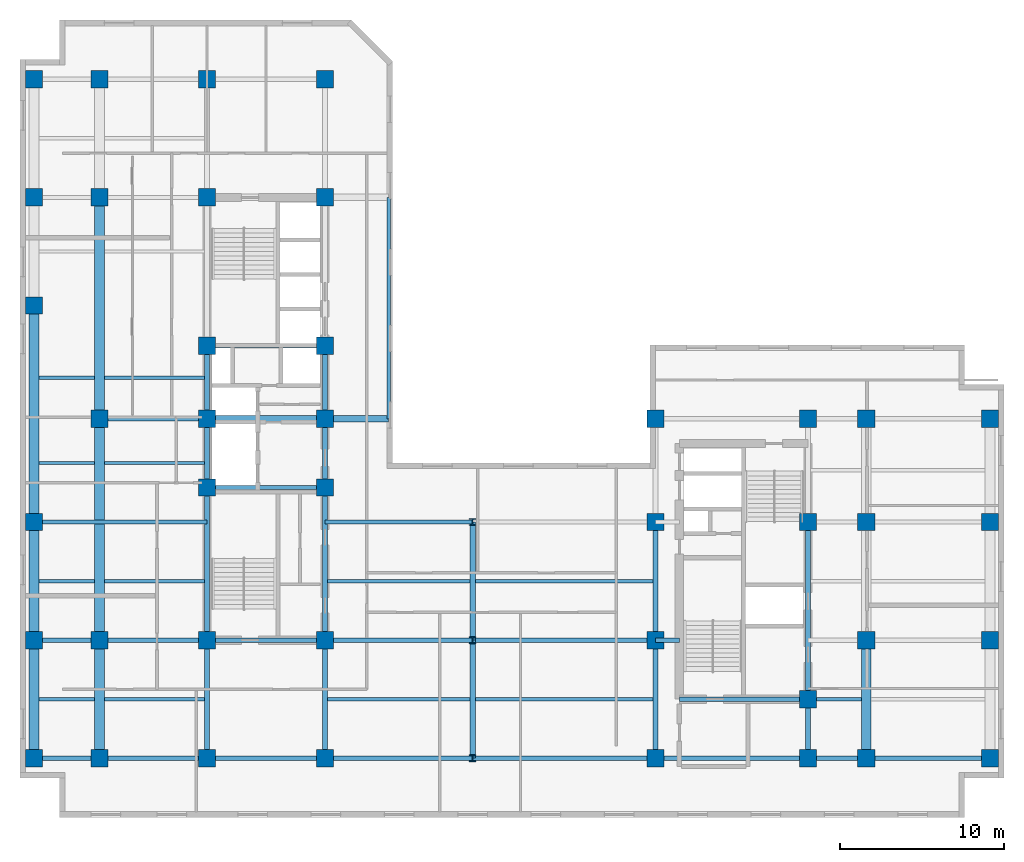
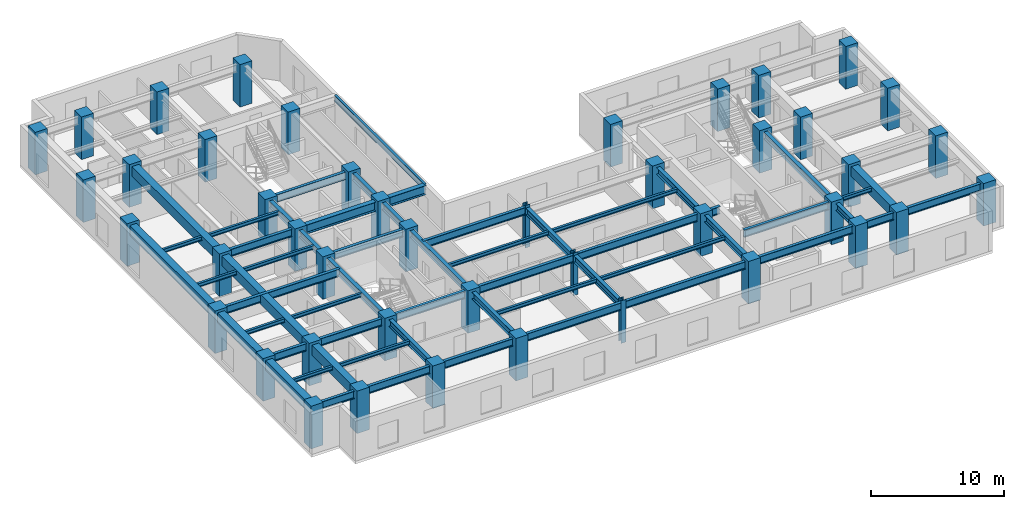
# One storey, part 1 of 10: 56 beams, 44 columns.
"""IFC4 building model written with IfcOpenShell, lengths in metres."""

from ifc_helpers import new_model, entity, si_unit, converted_unit, direction, frame, origin_with_axes, origin_2d_with_axis, place, context, subcontext, project, spatial, rectangle, i_section, extrude, material, material_profile, profile_set, type_object, element, save


model = new_model("IFC4")

# Units and contexts
model_context = context("Model", 3, precision=1e-05, world=origin_with_axes(), true_north=direction((0.0, 1.0)))
body_context = subcontext(model_context, "Body", "Model", "MODEL_VIEW")
ifc_project = project(units=[si_unit("LENGTHUNIT", "METRE"), si_unit("AREAUNIT", "SQUARE_METRE"), si_unit("VOLUMEUNIT", "CUBIC_METRE"), converted_unit("PLANEANGLEUNIT", "DEGREE", entity("IfcPlaneAngleMeasure", 0.017453292519943295), si_unit("PLANEANGLEUNIT", "RADIAN"), dimensions=[0, 0, 0, 0, 0, 0, 0]), si_unit("MASSUNIT", "GRAM", prefix="KILO"), si_unit("THERMODYNAMICTEMPERATUREUNIT", "KELVIN")], contexts=[model_context])

# Site, building, storey
site_placement = place(None, origin_with_axes())
site = spatial("IfcSite", under=ifc_project, at=site_placement, CompositionType="ELEMENT")
building_placement = place(site_placement, origin_with_axes())
building = spatial("IfcBuilding", under=site, at=building_placement, Name="Varnlund Millrace Tower", CompositionType="ELEMENT")
storey_placement = place(building_placement, frame((0.0, 0.0, 152.4), z_axis=(0.0, 0.0, 1.0), x_axis=(1.0, 0.0, 0.0)))
storey = spatial("IfcBuildingStorey", under=building, at=storey_placement, Name="L37", CompositionType="ELEMENT", Elevation=152.4)

# Columns
ifc_material_1 = material(Name="Steel ASTM A913 Grade 65", Category="steel")
ifc_material_profile_1 = material_profile(ifc_material_1, i_section(OverallWidth=0.406, OverallDepth=0.416, WebThickness=0.0298, FlangeThickness=0.048, FilletRadius=0.022, at=origin_2d_with_axis()), Name="Steel ASTM A913 Grade 65")
ifc_profile_set_1 = profile_set([ifc_material_profile_1], Name="Steel ASTM A913 Grade 65")
column_type_1 = type_object("IfcColumnType", Name="Type-Col-Int-W14X257", PredefinedType="COLUMN", material=ifc_profile_set_1)
for number, where, z_axis, x_axis, name in (
    (1, (27.6, 3.6, 0.0), (0.0, 0.0, 1.0), (1.0, 0.0, 0.0), "Type-Col-Int-W14X257"),
    (2, (27.6, 10.8, 0.0), (0.0, 0.0, 1.0), (1.0, 0.0, 0.0), "Type-Col-Int-W14X257"),
    (3, (27.6, 18.0, 0.0), (0.0, 0.0, 1.0), (1.0, 0.0, 0.0), "Type-Col-Int-W14X257"),
):
    element("IfcColumn", number, at=place(storey_placement, frame(where, z_axis=z_axis, x_axis=x_axis)), inside=storey, type_object=column_type_1, Name=name, PredefinedType="COLUMN", context=body_context, shape_type="SweptSolid", body=[
        extrude(i_section(OverallWidth=0.406, OverallDepth=0.416, WebThickness=0.0298, FlangeThickness=0.048, FilletRadius=0.022, at=origin_2d_with_axis()), origin_with_axes(), (0.0, 0.0, 1.0), 3.9),
    ])
ifc_material_2 = material(Name="Concrete C70/85", Category="concrete")
ifc_material_profile_2 = material_profile(ifc_material_2, rectangle(XDim=1.05, YDim=1.05, at=origin_2d_with_axis()), Name="Concrete C70/85")
ifc_profile_set_2 = profile_set([ifc_material_profile_2], Name="Concrete C70/85")
column_type_2 = type_object("IfcColumnType", Name="Type-Col-RC1050-C70", PredefinedType="COLUMN", material=ifc_profile_set_2)
for number, where, z_axis, x_axis, name in (
    (4, (11.4, 3.6, 0.0), (0.0, 0.0, 1.0), (1.0, 0.0, 0.0), "Type-Col-RC1050-C70"),
    (5, (11.4, 10.8, 0.0), (0.0, 0.0, 1.0), (1.0, 0.0, 0.0), "Type-Col-RC1050-C70"),
    (6, (11.4, 20.1, 0.0), (0.0, 0.0, 1.0), (1.0, 0.0, 0.0), "Type-Col-RC1050-C70"),
    (7, (11.4, 24.3, 0.0), (0.0, 0.0, 1.0), (1.0, 0.0, 0.0), "Type-Col-RC1050-C70"),
    (8, (11.4, 28.75, 0.0), (0.0, 0.0, 1.0), (1.0, 0.0, 0.0), "Type-Col-RC1050-C70"),
    (9, (11.4, 37.8, 0.0), (0.0, 0.0, 1.0), (1.0, 0.0, 0.0), "Type-Col-RC1050-C70"),
    (10, (11.4, 45.0, 0.0), (0.0, 0.0, 1.0), (1.0, 0.0, 0.0), "Type-Col-RC1050-C70"),
    (11, (18.6, 3.6, 0.0), (0.0, 0.0, 1.0), (1.0, 0.0, 0.0), "Type-Col-RC1050-C70"),
    (12, (18.6, 10.8, 0.0), (0.0, 0.0, 1.0), (1.0, 0.0, 0.0), "Type-Col-RC1050-C70"),
    (13, (18.6, 20.1, 0.0), (0.0, 0.0, 1.0), (1.0, 0.0, 0.0), "Type-Col-RC1050-C70"),
    (14, (18.6, 24.3, 0.0), (0.0, 0.0, 1.0), (1.0, 0.0, 0.0), "Type-Col-RC1050-C70"),
    (15, (18.6, 28.75, 0.0), (0.0, 0.0, 1.0), (1.0, 0.0, 0.0), "Type-Col-RC1050-C70"),
    (16, (18.6, 37.8, 0.0), (0.0, 0.0, 1.0), (1.0, 0.0, 0.0), "Type-Col-RC1050-C70"),
    (17, (18.6, 45.0, 0.0), (0.0, 0.0, 1.0), (1.0, 0.0, 0.0), "Type-Col-RC1050-C70"),
    (18, (4.85, 3.6, 0.0), (0.0, 0.0, 1.0), (1.0, 0.0, 0.0), "Type-Col-RC1050-C70"),
    (19, (4.85, 10.8, 0.0), (0.0, 0.0, 1.0), (1.0, 0.0, 0.0), "Type-Col-RC1050-C70"),
    (20, (4.85, 24.3, 0.0), (0.0, 0.0, 1.0), (1.0, 0.0, 0.0), "Type-Col-RC1050-C70"),
    (21, (4.85, 37.8, 0.0), (0.0, 0.0, 1.0), (1.0, 0.0, 0.0), "Type-Col-RC1050-C70"),
    (22, (4.85, 45.0, 0.0), (0.0, 0.0, 1.0), (1.0, 0.0, 0.0), "Type-Col-RC1050-C70"),
    (23, (0.85, 3.6, 0.0), (0.0, 0.0, 1.0), (1.0, 0.0, 0.0), "Type-Col-RC1050-C70"),
    (24, (0.85, 10.8, 0.0), (0.0, 0.0, 1.0), (1.0, 0.0, 0.0), "Type-Col-RC1050-C70"),
    (25, (0.85, 18.0, 0.0), (0.0, 0.0, 1.0), (1.0, 0.0, 0.0), "Type-Col-RC1050-C70"),
    (26, (0.85, 31.2, 0.0), (0.0, 0.0, 1.0), (1.0, 0.0, 0.0), "Type-Col-RC1050-C70"),
    (27, (0.85, 37.8, 0.0), (0.0, 0.0, 1.0), (1.0, 0.0, 0.0), "Type-Col-RC1050-C70"),
    (28, (0.85, 45.0, 0.0), (0.0, 0.0, 1.0), (1.0, 0.0, 0.0), "Type-Col-RC1050-C70"),
    (29, (38.75, 3.6, 0.0), (0.0, 0.0, 1.0), (1.0, 0.0, 0.0), "Type-Col-RC1050-C70"),
    (30, (38.75, 10.8, 0.0), (0.0, 0.0, 1.0), (1.0, 0.0, 0.0), "Type-Col-RC1050-C70"),
    (31, (38.75, 18.0, 0.0), (0.0, 0.0, 1.0), (1.0, 0.0, 0.0), "Type-Col-RC1050-C70"),
    (32, (38.75, 24.3, 0.0), (0.0, 0.0, 1.0), (1.0, 0.0, 0.0), "Type-Col-RC1050-C70"),
    (33, (48.05, 3.6, 0.0), (0.0, 0.0, 1.0), (1.0, 0.0, 0.0), "Type-Col-RC1050-C70"),
    (34, (48.05, 7.2, 0.0), (0.0, 0.0, 1.0), (1.0, 0.0, 0.0), "Type-Col-RC1050-C70"),
    (35, (48.05, 18.0, 0.0), (0.0, 0.0, 1.0), (1.0, 0.0, 0.0), "Type-Col-RC1050-C70"),
    (36, (48.05, 24.3, 0.0), (0.0, 0.0, 1.0), (1.0, 0.0, 0.0), "Type-Col-RC1050-C70"),
    (37, (51.6, 3.6, 0.0), (0.0, 0.0, 1.0), (1.0, 0.0, 0.0), "Type-Col-RC1050-C70"),
    (38, (51.6, 10.8, 0.0), (0.0, 0.0, 1.0), (1.0, 0.0, 0.0), "Type-Col-RC1050-C70"),
    (39, (51.6, 18.0, 0.0), (0.0, 0.0, 1.0), (1.0, 0.0, 0.0), "Type-Col-RC1050-C70"),
    (40, (51.6, 24.3, 0.0), (0.0, 0.0, 1.0), (1.0, 0.0, 0.0), "Type-Col-RC1050-C70"),
    (41, (59.15, 3.6, 0.0), (0.0, 0.0, 1.0), (1.0, 0.0, 0.0), "Type-Col-RC1050-C70"),
    (42, (59.15, 10.8, 0.0), (0.0, 0.0, 1.0), (1.0, 0.0, 0.0), "Type-Col-RC1050-C70"),
    (43, (59.15, 18.0, 0.0), (0.0, 0.0, 1.0), (1.0, 0.0, 0.0), "Type-Col-RC1050-C70"),
    (44, (59.15, 24.3, 0.0), (0.0, 0.0, 1.0), (1.0, 0.0, 0.0), "Type-Col-RC1050-C70"),
):
    element("IfcColumn", number, at=place(storey_placement, frame(where, z_axis=z_axis, x_axis=x_axis)), inside=storey, type_object=column_type_2, Name=name, PredefinedType="COLUMN", context=body_context, shape_type="SweptSolid", body=[
        extrude(rectangle(XDim=1.05, YDim=1.05, at=origin_2d_with_axis()), origin_with_axes(), (0.0, 0.0, 1.0), 3.9),
    ])

# Beams
ifc_material_3 = material(Name="Steel ASTM A992 Grade 50", Category="steel")
ifc_material_profile_3 = material_profile(ifc_material_3, i_section(OverallWidth=0.209, OverallDepth=0.533, WebThickness=0.0102, FlangeThickness=0.0156, FilletRadius=0.014, at=origin_2d_with_axis()), Name="Steel ASTM A992 Grade 50")
ifc_profile_set_3 = profile_set([ifc_material_profile_3], Name="Steel ASTM A992 Grade 50")
beam_type_1 = type_object("IfcBeamType", Name="Type-Beam-W21X62", PredefinedType="BEAM", material=ifc_profile_set_3)
beam_1_placement = place(storey_placement, frame((22.477, 24.3, 3.3935), z_axis=(0.0, 1.0, 0.0), x_axis=(-1.0, 0.0, 0.0)))
element("IfcBeam", 45, at=beam_1_placement, inside=storey, type_object=beam_type_1, Name="Type-Beam-W21X62", PredefinedType="BEAM", context=body_context, shape_type="SweptSolid", body=[
    extrude(i_section(OverallWidth=0.209, OverallDepth=0.533, WebThickness=0.0102, FlangeThickness=0.0156, FilletRadius=0.014, at=origin_2d_with_axis()), origin_with_axes(), (0.0, 0.0, 1.0), 13.5),
])
ifc_material_profile_4 = material_profile(ifc_material_3, i_section(OverallWidth=0.328, OverallDepth=0.628, WebThickness=0.0165, FlangeThickness=0.0277, FilletRadius=0.018, at=origin_2d_with_axis()), Name="Steel ASTM A992 Grade 50")
ifc_profile_set_4 = profile_set([ifc_material_profile_4], Name="Steel ASTM A992 Grade 50")
beam_type_2 = type_object("IfcBeamType", Name="Type-Girder-W24X146", PredefinedType="USERDEFINED", material=ifc_profile_set_4)
beam_2_placement = place(storey_placement, frame((11.4, 3.6, 3.346), z_axis=(0.0, 1.0, 0.0), x_axis=(-1.0, 0.0, 0.0)))
element("IfcBeam", 46, at=beam_2_placement, inside=storey, type_object=beam_type_2, Name="Type-Girder-W24X146", ObjectType="GIRDER", PredefinedType="USERDEFINED", context=body_context, shape_type="SweptSolid", body=[
    extrude(i_section(OverallWidth=0.328, OverallDepth=0.628, WebThickness=0.0165, FlangeThickness=0.0277, FilletRadius=0.018, at=origin_2d_with_axis()), origin_with_axes(), (0.0, 0.0, 1.0), 7.2),
])
beam_3_placement = place(storey_placement, frame((11.4, 10.8, 3.346), z_axis=(0.0, 1.0, 0.0), x_axis=(-1.0, 0.0, 0.0)))
element("IfcBeam", 47, at=beam_3_placement, inside=storey, type_object=beam_type_2, Name="Type-Girder-W24X146", ObjectType="GIRDER", PredefinedType="USERDEFINED", context=body_context, shape_type="SweptSolid", body=[
    extrude(i_section(OverallWidth=0.328, OverallDepth=0.628, WebThickness=0.0165, FlangeThickness=0.0277, FilletRadius=0.018, at=origin_2d_with_axis()), origin_with_axes(), (0.0, 0.0, 1.0), 9.3),
])
beam_4_placement = place(storey_placement, frame((11.4, 20.1, 3.346), z_axis=(0.0, 1.0, 0.0), x_axis=(-1.0, 0.0, 0.0)))
element("IfcBeam", 48, at=beam_4_placement, inside=storey, type_object=beam_type_2, Name="Type-Girder-W24X146", ObjectType="GIRDER", PredefinedType="USERDEFINED", context=body_context, shape_type="SweptSolid", body=[
    extrude(i_section(OverallWidth=0.328, OverallDepth=0.628, WebThickness=0.0165, FlangeThickness=0.0277, FilletRadius=0.018, at=origin_2d_with_axis()), origin_with_axes(), (0.0, 0.0, 1.0), 4.2),
])
beam_5_placement = place(storey_placement, frame((11.4, 24.3, 3.346), z_axis=(0.0, 1.0, 0.0), x_axis=(-1.0, 0.0, 0.0)))
element("IfcBeam", 49, at=beam_5_placement, inside=storey, type_object=beam_type_2, Name="Type-Girder-W24X146", ObjectType="GIRDER", PredefinedType="USERDEFINED", context=body_context, shape_type="SweptSolid", body=[
    extrude(i_section(OverallWidth=0.328, OverallDepth=0.628, WebThickness=0.0165, FlangeThickness=0.0277, FilletRadius=0.018, at=origin_2d_with_axis()), origin_with_axes(), (0.0, 0.0, 1.0), 4.45),
])
beam_6_placement = place(storey_placement, frame((18.6, 3.6, 3.346), z_axis=(0.0, 1.0, 0.0), x_axis=(-1.0, 0.0, 0.0)))
element("IfcBeam", 50, at=beam_6_placement, inside=storey, type_object=beam_type_2, Name="Type-Girder-W24X146", ObjectType="GIRDER", PredefinedType="USERDEFINED", context=body_context, shape_type="SweptSolid", body=[
    extrude(i_section(OverallWidth=0.328, OverallDepth=0.628, WebThickness=0.0165, FlangeThickness=0.0277, FilletRadius=0.018, at=origin_2d_with_axis()), origin_with_axes(), (0.0, 0.0, 1.0), 7.2),
])
beam_7_placement = place(storey_placement, frame((18.6, 10.8, 3.346), z_axis=(0.0, 1.0, 0.0), x_axis=(-1.0, 0.0, 0.0)))
element("IfcBeam", 51, at=beam_7_placement, inside=storey, type_object=beam_type_2, Name="Type-Girder-W24X146", ObjectType="GIRDER", PredefinedType="USERDEFINED", context=body_context, shape_type="SweptSolid", body=[
    extrude(i_section(OverallWidth=0.328, OverallDepth=0.628, WebThickness=0.0165, FlangeThickness=0.0277, FilletRadius=0.018, at=origin_2d_with_axis()), origin_with_axes(), (0.0, 0.0, 1.0), 9.3),
])
beam_8_placement = place(storey_placement, frame((18.6, 20.1, 3.346), z_axis=(0.0, 1.0, 0.0), x_axis=(-1.0, 0.0, 0.0)))
element("IfcBeam", 52, at=beam_8_placement, inside=storey, type_object=beam_type_2, Name="Type-Girder-W24X146", ObjectType="GIRDER", PredefinedType="USERDEFINED", context=body_context, shape_type="SweptSolid", body=[
    extrude(i_section(OverallWidth=0.328, OverallDepth=0.628, WebThickness=0.0165, FlangeThickness=0.0277, FilletRadius=0.018, at=origin_2d_with_axis()), origin_with_axes(), (0.0, 0.0, 1.0), 4.2),
])
beam_9_placement = place(storey_placement, frame((18.6, 24.3, 3.346), z_axis=(0.0, 1.0, 0.0), x_axis=(-1.0, 0.0, 0.0)))
element("IfcBeam", 53, at=beam_9_placement, inside=storey, type_object=beam_type_2, Name="Type-Girder-W24X146", ObjectType="GIRDER", PredefinedType="USERDEFINED", context=body_context, shape_type="SweptSolid", body=[
    extrude(i_section(OverallWidth=0.328, OverallDepth=0.628, WebThickness=0.0165, FlangeThickness=0.0277, FilletRadius=0.018, at=origin_2d_with_axis()), origin_with_axes(), (0.0, 0.0, 1.0), 4.45),
])
for number, where, z_axis, x_axis, name in (
    (54, (27.6, 3.6, 3.346), (0.0, 1.0, 0.0), (-1.0, 0.0, 0.0), "Type-Girder-W24X146"),
    (55, (27.6, 10.8, 3.346), (0.0, 1.0, 0.0), (-1.0, 0.0, 0.0), "Type-Girder-W24X146"),
    (56, (38.75, 3.6, 3.346), (0.0, 1.0, 0.0), (-1.0, 0.0, 0.0), "Type-Girder-W24X146"),
    (57, (38.75, 10.8, 3.346), (0.0, 1.0, 0.0), (-1.0, 0.0, 0.0), "Type-Girder-W24X146"),
):
    element("IfcBeam", number, at=place(storey_placement, frame(where, z_axis=z_axis, x_axis=x_axis)), inside=storey, type_object=beam_type_2, Name=name, ObjectType="GIRDER", PredefinedType="USERDEFINED", context=body_context, shape_type="SweptSolid", body=[
        extrude(i_section(OverallWidth=0.328, OverallDepth=0.628, WebThickness=0.0165, FlangeThickness=0.0277, FilletRadius=0.018, at=origin_2d_with_axis()), origin_with_axes(), (0.0, 0.0, 1.0), 7.2),
    ])
beam_10_placement = place(storey_placement, frame((48.05, 3.6, 3.346), z_axis=(0.0, 1.0, 0.0), x_axis=(-1.0, 0.0, 0.0)))
element("IfcBeam", 58, at=beam_10_placement, inside=storey, type_object=beam_type_2, Name="Type-Girder-W24X146", ObjectType="GIRDER", PredefinedType="USERDEFINED", context=body_context, shape_type="SweptSolid", body=[
    extrude(i_section(OverallWidth=0.328, OverallDepth=0.628, WebThickness=0.0165, FlangeThickness=0.0277, FilletRadius=0.018, at=origin_2d_with_axis()), origin_with_axes(), (0.0, 0.0, 1.0), 3.6),
])
beam_11_placement = place(storey_placement, frame((48.05, 7.2, 3.346), z_axis=(0.0, 1.0, 0.0), x_axis=(-1.0, 0.0, 0.0)))
element("IfcBeam", 59, at=beam_11_placement, inside=storey, type_object=beam_type_2, Name="Type-Girder-W24X146", ObjectType="GIRDER", PredefinedType="USERDEFINED", context=body_context, shape_type="SweptSolid", body=[
    extrude(i_section(OverallWidth=0.328, OverallDepth=0.628, WebThickness=0.0165, FlangeThickness=0.0277, FilletRadius=0.018, at=origin_2d_with_axis()), origin_with_axes(), (0.0, 0.0, 1.0), 10.8),
])
ifc_material_profile_5 = material_profile(ifc_material_3, i_section(OverallWidth=0.256, OverallDepth=0.693, WebThickness=0.0145, FlangeThickness=0.0236, FilletRadius=0.018, at=origin_2d_with_axis()), Name="Steel ASTM A992 Grade 50")
ifc_profile_set_5 = profile_set([ifc_material_profile_5], Name="Steel ASTM A992 Grade 50")
beam_type_3 = type_object("IfcBeamType", Name="Type-Girder-W27X114", PredefinedType="USERDEFINED", material=ifc_profile_set_5)
beam_12_placement = place(storey_placement, frame((0.85, 3.6, 3.3135), z_axis=(1.0, 0.0, 0.0), x_axis=(0.0, 1.0, 0.0)))
element("IfcBeam", 60, at=beam_12_placement, inside=storey, type_object=beam_type_3, Name="Type-Girder-W27X114", ObjectType="GIRDER", PredefinedType="USERDEFINED", context=body_context, shape_type="SweptSolid", body=[
    extrude(i_section(OverallWidth=0.256, OverallDepth=0.693, WebThickness=0.0145, FlangeThickness=0.0236, FilletRadius=0.018, at=origin_2d_with_axis()), origin_with_axes(), (0.0, 0.0, 1.0), 4.0),
])
beam_13_placement = place(storey_placement, frame((4.85, 3.6, 3.3135), z_axis=(1.0, 0.0, 0.0), x_axis=(0.0, 1.0, 0.0)))
element("IfcBeam", 61, at=beam_13_placement, inside=storey, type_object=beam_type_3, Name="Type-Girder-W27X114", ObjectType="GIRDER", PredefinedType="USERDEFINED", context=body_context, shape_type="SweptSolid", body=[
    extrude(i_section(OverallWidth=0.256, OverallDepth=0.693, WebThickness=0.0145, FlangeThickness=0.0236, FilletRadius=0.018, at=origin_2d_with_axis()), origin_with_axes(), (0.0, 0.0, 1.0), 6.55),
])
beam_14_placement = place(storey_placement, frame((11.4, 3.6, 3.3135), z_axis=(1.0, 0.0, 0.0), x_axis=(0.0, 1.0, 0.0)))
element("IfcBeam", 62, at=beam_14_placement, inside=storey, type_object=beam_type_3, Name="Type-Girder-W27X114", ObjectType="GIRDER", PredefinedType="USERDEFINED", context=body_context, shape_type="SweptSolid", body=[
    extrude(i_section(OverallWidth=0.256, OverallDepth=0.693, WebThickness=0.0145, FlangeThickness=0.0236, FilletRadius=0.018, at=origin_2d_with_axis()), origin_with_axes(), (0.0, 0.0, 1.0), 7.2),
])
beam_15_placement = place(storey_placement, frame((18.6, 3.6, 3.3135), z_axis=(1.0, 0.0, 0.0), x_axis=(0.0, 1.0, 0.0)))
element("IfcBeam", 63, at=beam_15_placement, inside=storey, type_object=beam_type_3, Name="Type-Girder-W27X114", ObjectType="GIRDER", PredefinedType="USERDEFINED", context=body_context, shape_type="SweptSolid", body=[
    extrude(i_section(OverallWidth=0.256, OverallDepth=0.693, WebThickness=0.0145, FlangeThickness=0.0236, FilletRadius=0.018, at=origin_2d_with_axis()), origin_with_axes(), (0.0, 0.0, 1.0), 9.0),
])
beam_16_placement = place(storey_placement, frame((27.6, 3.6, 3.3135), z_axis=(1.0, 0.0, 0.0), x_axis=(0.0, 1.0, 0.0)))
element("IfcBeam", 64, at=beam_16_placement, inside=storey, type_object=beam_type_3, Name="Type-Girder-W27X114", ObjectType="GIRDER", PredefinedType="USERDEFINED", context=body_context, shape_type="SweptSolid", body=[
    extrude(i_section(OverallWidth=0.256, OverallDepth=0.693, WebThickness=0.0145, FlangeThickness=0.0236, FilletRadius=0.018, at=origin_2d_with_axis()), origin_with_axes(), (0.0, 0.0, 1.0), 11.15),
])
beam_17_placement = place(storey_placement, frame((38.75, 3.6, 3.3135), z_axis=(1.0, 0.0, 0.0), x_axis=(0.0, 1.0, 0.0)))
element("IfcBeam", 65, at=beam_17_placement, inside=storey, type_object=beam_type_3, Name="Type-Girder-W27X114", ObjectType="GIRDER", PredefinedType="USERDEFINED", context=body_context, shape_type="SweptSolid", body=[
    extrude(i_section(OverallWidth=0.256, OverallDepth=0.693, WebThickness=0.0145, FlangeThickness=0.0236, FilletRadius=0.018, at=origin_2d_with_axis()), origin_with_axes(), (0.0, 0.0, 1.0), 9.3),
])
beam_18_placement = place(storey_placement, frame((48.05, 3.6, 3.3135), z_axis=(1.0, 0.0, 0.0), x_axis=(0.0, 1.0, 0.0)))
element("IfcBeam", 66, at=beam_18_placement, inside=storey, type_object=beam_type_3, Name="Type-Girder-W27X114", ObjectType="GIRDER", PredefinedType="USERDEFINED", context=body_context, shape_type="SweptSolid", body=[
    extrude(i_section(OverallWidth=0.256, OverallDepth=0.693, WebThickness=0.0145, FlangeThickness=0.0236, FilletRadius=0.018, at=origin_2d_with_axis()), origin_with_axes(), (0.0, 0.0, 1.0), 3.55),
])
beam_19_placement = place(storey_placement, frame((51.6, 3.6, 3.3135), z_axis=(1.0, 0.0, 0.0), x_axis=(0.0, 1.0, 0.0)))
element("IfcBeam", 67, at=beam_19_placement, inside=storey, type_object=beam_type_3, Name="Type-Girder-W27X114", ObjectType="GIRDER", PredefinedType="USERDEFINED", context=body_context, shape_type="SweptSolid", body=[
    extrude(i_section(OverallWidth=0.256, OverallDepth=0.693, WebThickness=0.0145, FlangeThickness=0.0236, FilletRadius=0.018, at=origin_2d_with_axis()), origin_with_axes(), (0.0, 0.0, 1.0), 7.55),
])
beam_20_placement = place(storey_placement, frame((40.2, 7.2, 3.3135), z_axis=(1.0, 0.0, 0.0), x_axis=(0.0, 1.0, 0.0)))
element("IfcBeam", 68, at=beam_20_placement, inside=storey, type_object=beam_type_3, Name="Type-Girder-W27X114", ObjectType="GIRDER", PredefinedType="USERDEFINED", context=body_context, shape_type="SweptSolid", body=[
    extrude(i_section(OverallWidth=0.256, OverallDepth=0.693, WebThickness=0.0145, FlangeThickness=0.0236, FilletRadius=0.018, at=origin_2d_with_axis()), origin_with_axes(), (0.0, 0.0, 1.0), 7.85),
])
beam_21_placement = place(storey_placement, frame((0.85, 10.8, 3.3135), z_axis=(1.0, 0.0, 0.0), x_axis=(0.0, 1.0, 0.0)))
element("IfcBeam", 69, at=beam_21_placement, inside=storey, type_object=beam_type_3, Name="Type-Girder-W27X114", ObjectType="GIRDER", PredefinedType="USERDEFINED", context=body_context, shape_type="SweptSolid", body=[
    extrude(i_section(OverallWidth=0.256, OverallDepth=0.693, WebThickness=0.0145, FlangeThickness=0.0236, FilletRadius=0.018, at=origin_2d_with_axis()), origin_with_axes(), (0.0, 0.0, 1.0), 4.0),
])
beam_22_placement = place(storey_placement, frame((4.85, 10.8, 3.3135), z_axis=(1.0, 0.0, 0.0), x_axis=(0.0, 1.0, 0.0)))
element("IfcBeam", 70, at=beam_22_placement, inside=storey, type_object=beam_type_3, Name="Type-Girder-W27X114", ObjectType="GIRDER", PredefinedType="USERDEFINED", context=body_context, shape_type="SweptSolid", body=[
    extrude(i_section(OverallWidth=0.256, OverallDepth=0.693, WebThickness=0.0145, FlangeThickness=0.0236, FilletRadius=0.018, at=origin_2d_with_axis()), origin_with_axes(), (0.0, 0.0, 1.0), 6.55),
])
beam_23_placement = place(storey_placement, frame((11.4, 10.8, 3.3135), z_axis=(1.0, 0.0, 0.0), x_axis=(0.0, 1.0, 0.0)))
element("IfcBeam", 71, at=beam_23_placement, inside=storey, type_object=beam_type_3, Name="Type-Girder-W27X114", ObjectType="GIRDER", PredefinedType="USERDEFINED", context=body_context, shape_type="SweptSolid", body=[
    extrude(i_section(OverallWidth=0.256, OverallDepth=0.693, WebThickness=0.0145, FlangeThickness=0.0236, FilletRadius=0.018, at=origin_2d_with_axis()), origin_with_axes(), (0.0, 0.0, 1.0), 7.2),
])
beam_24_placement = place(storey_placement, frame((18.6, 10.8, 3.3135), z_axis=(1.0, 0.0, 0.0), x_axis=(0.0, 1.0, 0.0)))
element("IfcBeam", 72, at=beam_24_placement, inside=storey, type_object=beam_type_3, Name="Type-Girder-W27X114", ObjectType="GIRDER", PredefinedType="USERDEFINED", context=body_context, shape_type="SweptSolid", body=[
    extrude(i_section(OverallWidth=0.256, OverallDepth=0.693, WebThickness=0.0145, FlangeThickness=0.0236, FilletRadius=0.018, at=origin_2d_with_axis()), origin_with_axes(), (0.0, 0.0, 1.0), 9.0),
])
beam_25_placement = place(storey_placement, frame((27.6, 10.8, 3.3135), z_axis=(1.0, 0.0, 0.0), x_axis=(0.0, 1.0, 0.0)))
element("IfcBeam", 73, at=beam_25_placement, inside=storey, type_object=beam_type_3, Name="Type-Girder-W27X114", ObjectType="GIRDER", PredefinedType="USERDEFINED", context=body_context, shape_type="SweptSolid", body=[
    extrude(i_section(OverallWidth=0.256, OverallDepth=0.693, WebThickness=0.0145, FlangeThickness=0.0236, FilletRadius=0.018, at=origin_2d_with_axis()), origin_with_axes(), (0.0, 0.0, 1.0), 11.15),
])
beam_26_placement = place(storey_placement, frame((38.75, 10.8, 3.3135), z_axis=(1.0, 0.0, 0.0), x_axis=(0.0, 1.0, 0.0)))
element("IfcBeam", 74, at=beam_26_placement, inside=storey, type_object=beam_type_3, Name="Type-Girder-W27X114", ObjectType="GIRDER", PredefinedType="USERDEFINED", context=body_context, shape_type="SweptSolid", body=[
    extrude(i_section(OverallWidth=0.256, OverallDepth=0.693, WebThickness=0.0145, FlangeThickness=0.0236, FilletRadius=0.018, at=origin_2d_with_axis()), origin_with_axes(), (0.0, 0.0, 1.0), 1.45),
])
beam_27_placement = place(storey_placement, frame((0.85, 18.0, 3.3135), z_axis=(1.0, 0.0, 0.0), x_axis=(0.0, 1.0, 0.0)))
element("IfcBeam", 75, at=beam_27_placement, inside=storey, type_object=beam_type_3, Name="Type-Girder-W27X114", ObjectType="GIRDER", PredefinedType="USERDEFINED", context=body_context, shape_type="SweptSolid", body=[
    extrude(i_section(OverallWidth=0.256, OverallDepth=0.693, WebThickness=0.0145, FlangeThickness=0.0236, FilletRadius=0.018, at=origin_2d_with_axis()), origin_with_axes(), (0.0, 0.0, 1.0), 10.55),
])
beam_28_placement = place(storey_placement, frame((18.6, 18.0, 3.3135), z_axis=(1.0, 0.0, 0.0), x_axis=(0.0, 1.0, 0.0)))
element("IfcBeam", 76, at=beam_28_placement, inside=storey, type_object=beam_type_3, Name="Type-Girder-W27X114", ObjectType="GIRDER", PredefinedType="USERDEFINED", context=body_context, shape_type="SweptSolid", body=[
    extrude(i_section(OverallWidth=0.256, OverallDepth=0.693, WebThickness=0.0145, FlangeThickness=0.0236, FilletRadius=0.018, at=origin_2d_with_axis()), origin_with_axes(), (0.0, 0.0, 1.0), 9.0),
])
beam_29_placement = place(storey_placement, frame((11.4, 20.1, 3.3135), z_axis=(1.0, 0.0, 0.0), x_axis=(0.0, 1.0, 0.0)))
element("IfcBeam", 77, at=beam_29_placement, inside=storey, type_object=beam_type_3, Name="Type-Girder-W27X114", ObjectType="GIRDER", PredefinedType="USERDEFINED", context=body_context, shape_type="SweptSolid", body=[
    extrude(i_section(OverallWidth=0.256, OverallDepth=0.693, WebThickness=0.0145, FlangeThickness=0.0236, FilletRadius=0.018, at=origin_2d_with_axis()), origin_with_axes(), (0.0, 0.0, 1.0), 7.2),
])
beam_30_placement = place(storey_placement, frame((4.85, 24.3, 3.3135), z_axis=(1.0, 0.0, 0.0), x_axis=(0.0, 1.0, 0.0)))
element("IfcBeam", 78, at=beam_30_placement, inside=storey, type_object=beam_type_3, Name="Type-Girder-W27X114", ObjectType="GIRDER", PredefinedType="USERDEFINED", context=body_context, shape_type="SweptSolid", body=[
    extrude(i_section(OverallWidth=0.256, OverallDepth=0.693, WebThickness=0.0145, FlangeThickness=0.0236, FilletRadius=0.018, at=origin_2d_with_axis()), origin_with_axes(), (0.0, 0.0, 1.0), 6.55),
])
beam_31_placement = place(storey_placement, frame((11.4, 28.75, 3.3135), z_axis=(1.0, 0.0, 0.0), x_axis=(0.0, 1.0, 0.0)))
element("IfcBeam", 79, at=beam_31_placement, inside=storey, type_object=beam_type_3, Name="Type-Girder-W27X114", ObjectType="GIRDER", PredefinedType="USERDEFINED", context=body_context, shape_type="SweptSolid", body=[
    extrude(i_section(OverallWidth=0.256, OverallDepth=0.693, WebThickness=0.0145, FlangeThickness=0.0236, FilletRadius=0.018, at=origin_2d_with_axis()), origin_with_axes(), (0.0, 0.0, 1.0), 7.2),
])
ifc_material_profile_6 = material_profile(ifc_material_3, i_section(OverallWidth=0.399, OverallDepth=0.855, WebThickness=0.0182, FlangeThickness=0.0292, FilletRadius=0.022, at=origin_2d_with_axis()), Name="Steel ASTM A992 Grade 50")
ifc_profile_set_6 = profile_set([ifc_material_profile_6], Name="Steel ASTM A992 Grade 50")
beam_type_4 = type_object("IfcBeamType", Name="Type-Girder-W33X201", PredefinedType="USERDEFINED", material=ifc_profile_set_6)
beam_32_placement = place(storey_placement, frame((11.4, 24.3, 3.2325), z_axis=(1.0, 0.0, 0.0), x_axis=(0.0, 1.0, 0.0)))
element("IfcBeam", 80, at=beam_32_placement, inside=storey, type_object=beam_type_4, Name="Type-Girder-W33X201", ObjectType="GIRDER", PredefinedType="USERDEFINED", context=body_context, shape_type="SweptSolid", body=[
    extrude(i_section(OverallWidth=0.399, OverallDepth=0.855, WebThickness=0.0182, FlangeThickness=0.0292, FilletRadius=0.022, at=origin_2d_with_axis()), origin_with_axes(), (0.0, 0.0, 1.0), 11.077),
])
ifc_material_profile_7 = material_profile(ifc_material_3, i_section(OverallWidth=0.204, OverallDepth=0.35, WebThickness=0.0086, FlangeThickness=0.0151, FilletRadius=0.013, at=origin_2d_with_axis()), Name="Steel ASTM A992 Grade 50")
ifc_profile_set_7 = profile_set([ifc_material_profile_7], Name="Steel ASTM A992 Grade 50")
beam_type_5 = type_object("IfcBeamType", Name="Type-Joist-W14X48", PredefinedType="JOIST", material=ifc_profile_set_7)
for number, where, z_axis, x_axis, name in (
    (81, (1.15, 7.2, 3.485), (1.0, 0.0, 0.0), (0.0, 1.0, 0.0), "Type-Joist-W14X48"),
    (82, (1.15, 14.4, 3.485), (1.0, 0.0, 0.0), (0.0, 1.0, 0.0), "Type-Joist-W14X48"),
    (83, (1.15, 21.6, 3.485), (1.0, 0.0, 0.0), (0.0, 1.0, 0.0), "Type-Joist-W14X48"),
    (84, (1.15, 26.8, 3.485), (1.0, 0.0, 0.0), (0.0, 1.0, 0.0), "Type-Joist-W14X48"),
):
    element("IfcBeam", number, at=place(storey_placement, frame(where, z_axis=z_axis, x_axis=x_axis)), inside=storey, type_object=beam_type_5, Name=name, PredefinedType="JOIST", context=body_context, shape_type="SweptSolid", body=[
        extrude(i_section(OverallWidth=0.204, OverallDepth=0.35, WebThickness=0.0086, FlangeThickness=0.0151, FilletRadius=0.013, at=origin_2d_with_axis()), origin_with_axes(), (0.0, 0.0, 1.0), 3.4),
    ])
for number, where, z_axis, x_axis, name in (
    (85, (5.15, 7.2, 3.485), (1.0, 0.0, 0.0), (0.0, 1.0, 0.0), "Type-Joist-W14X48"),
    (86, (5.15, 14.4, 3.485), (1.0, 0.0, 0.0), (0.0, 1.0, 0.0), "Type-Joist-W14X48"),
    (87, (5.15, 21.6, 3.485), (1.0, 0.0, 0.0), (0.0, 1.0, 0.0), "Type-Joist-W14X48"),
    (88, (5.15, 26.8, 3.485), (1.0, 0.0, 0.0), (0.0, 1.0, 0.0), "Type-Joist-W14X48"),
):
    element("IfcBeam", number, at=place(storey_placement, frame(where, z_axis=z_axis, x_axis=x_axis)), inside=storey, type_object=beam_type_5, Name=name, PredefinedType="JOIST", context=body_context, shape_type="SweptSolid", body=[
        extrude(i_section(OverallWidth=0.204, OverallDepth=0.35, WebThickness=0.0086, FlangeThickness=0.0151, FilletRadius=0.013, at=origin_2d_with_axis()), origin_with_axes(), (0.0, 0.0, 1.0), 6.086),
    ])
beam_33_placement = place(storey_placement, frame((48.214, 7.2, 3.485), z_axis=(1.0, 0.0, 0.0), x_axis=(0.0, 1.0, 0.0)))
element("IfcBeam", 89, at=beam_33_placement, inside=storey, type_object=beam_type_5, Name="Type-Joist-W14X48", PredefinedType="JOIST", context=body_context, shape_type="SweptSolid", body=[
    extrude(i_section(OverallWidth=0.204, OverallDepth=0.35, WebThickness=0.0086, FlangeThickness=0.0151, FilletRadius=0.013, at=origin_2d_with_axis()), origin_with_axes(), (0.0, 0.0, 1.0), 3.086),
])
for number, where, z_axis, x_axis, name in (
    (90, (18.764, 7.2, 3.485), (1.0, 0.0, 0.0), (0.0, 1.0, 0.0), "Type-Joist-W14X48"),
    (91, (18.764, 14.4, 3.485), (1.0, 0.0, 0.0), (0.0, 1.0, 0.0), "Type-Joist-W14X48"),
):
    element("IfcBeam", number, at=place(storey_placement, frame(where, z_axis=z_axis, x_axis=x_axis)), inside=storey, type_object=beam_type_5, Name=name, PredefinedType="JOIST", context=body_context, shape_type="SweptSolid", body=[
        extrude(i_section(OverallWidth=0.204, OverallDepth=0.35, WebThickness=0.0086, FlangeThickness=0.0151, FilletRadius=0.013, at=origin_2d_with_axis()), origin_with_axes(), (0.0, 0.0, 1.0), 8.672),
    ])
for number, where, z_axis, x_axis, name in (
    (92, (27.764, 7.2, 3.485), (1.0, 0.0, 0.0), (0.0, 1.0, 0.0), "Type-Joist-W14X48"),
    (93, (27.764, 14.4, 3.485), (1.0, 0.0, 0.0), (0.0, 1.0, 0.0), "Type-Joist-W14X48"),
):
    element("IfcBeam", number, at=place(storey_placement, frame(where, z_axis=z_axis, x_axis=x_axis)), inside=storey, type_object=beam_type_5, Name=name, PredefinedType="JOIST", context=body_context, shape_type="SweptSolid", body=[
        extrude(i_section(OverallWidth=0.204, OverallDepth=0.35, WebThickness=0.0086, FlangeThickness=0.0151, FilletRadius=0.013, at=origin_2d_with_axis()), origin_with_axes(), (0.0, 0.0, 1.0), 10.822),
    ])
ifc_material_profile_8 = material_profile(ifc_material_2, rectangle(XDim=0.6, YDim=0.9, at=origin_2d_with_axis()), Name="Concrete C70/85")
ifc_profile_set_8 = profile_set([ifc_material_profile_8], Name="Concrete C70/85")
beam_type_6 = type_object("IfcBeamType", Name="Type-Spandrel-RC600X900", PredefinedType="SPANDREL", material=ifc_profile_set_8)
for number, where, z_axis, x_axis, name in (
    (94, (0.85, 3.6, 3.21), (0.0, 1.0, 0.0), (-1.0, 0.0, 0.0), "Type-Spandrel-RC600X900"),
    (95, (0.85, 10.8, 3.21), (0.0, 1.0, 0.0), (-1.0, 0.0, 0.0), "Type-Spandrel-RC600X900"),
):
    element("IfcBeam", number, at=place(storey_placement, frame(where, z_axis=z_axis, x_axis=x_axis)), inside=storey, type_object=beam_type_6, Name=name, PredefinedType="SPANDREL", context=body_context, shape_type="SweptSolid", body=[
        extrude(rectangle(XDim=0.6, YDim=0.9, at=origin_2d_with_axis()), origin_with_axes(), (0.0, 0.0, 1.0), 7.2),
    ])
beam_34_placement = place(storey_placement, frame((0.85, 18.0, 3.21), z_axis=(0.0, 1.0, 0.0), x_axis=(-1.0, 0.0, 0.0)))
element("IfcBeam", 96, at=beam_34_placement, inside=storey, type_object=beam_type_6, Name="Type-Spandrel-RC600X900", PredefinedType="SPANDREL", context=body_context, shape_type="SweptSolid", body=[
    extrude(rectangle(XDim=0.6, YDim=0.9, at=origin_2d_with_axis()), origin_with_axes(), (0.0, 0.0, 1.0), 13.2),
])
beam_35_placement = place(storey_placement, frame((4.85, 3.6, 3.21), z_axis=(0.0, 1.0, 0.0), x_axis=(-1.0, 0.0, 0.0)))
element("IfcBeam", 97, at=beam_35_placement, inside=storey, type_object=beam_type_6, Name="Type-Spandrel-RC600X900", PredefinedType="SPANDREL", context=body_context, shape_type="SweptSolid", body=[
    extrude(rectangle(XDim=0.6, YDim=0.9, at=origin_2d_with_axis()), origin_with_axes(), (0.0, 0.0, 1.0), 7.2),
])
for number, where, z_axis, x_axis, name in (
    (98, (4.85, 10.8, 3.21), (0.0, 1.0, 0.0), (-1.0, 0.0, 0.0), "Type-Spandrel-RC600X900"),
    (99, (4.85, 24.3, 3.21), (0.0, 1.0, 0.0), (-1.0, 0.0, 0.0), "Type-Spandrel-RC600X900"),
):
    element("IfcBeam", number, at=place(storey_placement, frame(where, z_axis=z_axis, x_axis=x_axis)), inside=storey, type_object=beam_type_6, Name=name, PredefinedType="SPANDREL", context=body_context, shape_type="SweptSolid", body=[
        extrude(rectangle(XDim=0.6, YDim=0.9, at=origin_2d_with_axis()), origin_with_axes(), (0.0, 0.0, 1.0), 13.5),
    ])
beam_36_placement = place(storey_placement, frame((51.6, 3.6, 3.21), z_axis=(0.0, 1.0, 0.0), x_axis=(-1.0, 0.0, 0.0)))
element("IfcBeam", 100, at=beam_36_placement, inside=storey, type_object=beam_type_6, Name="Type-Spandrel-RC600X900", PredefinedType="SPANDREL", context=body_context, shape_type="SweptSolid", body=[
    extrude(rectangle(XDim=0.6, YDim=0.9, at=origin_2d_with_axis()), origin_with_axes(), (0.0, 0.0, 1.0), 7.2),
])

save(model, "model.ifc")
